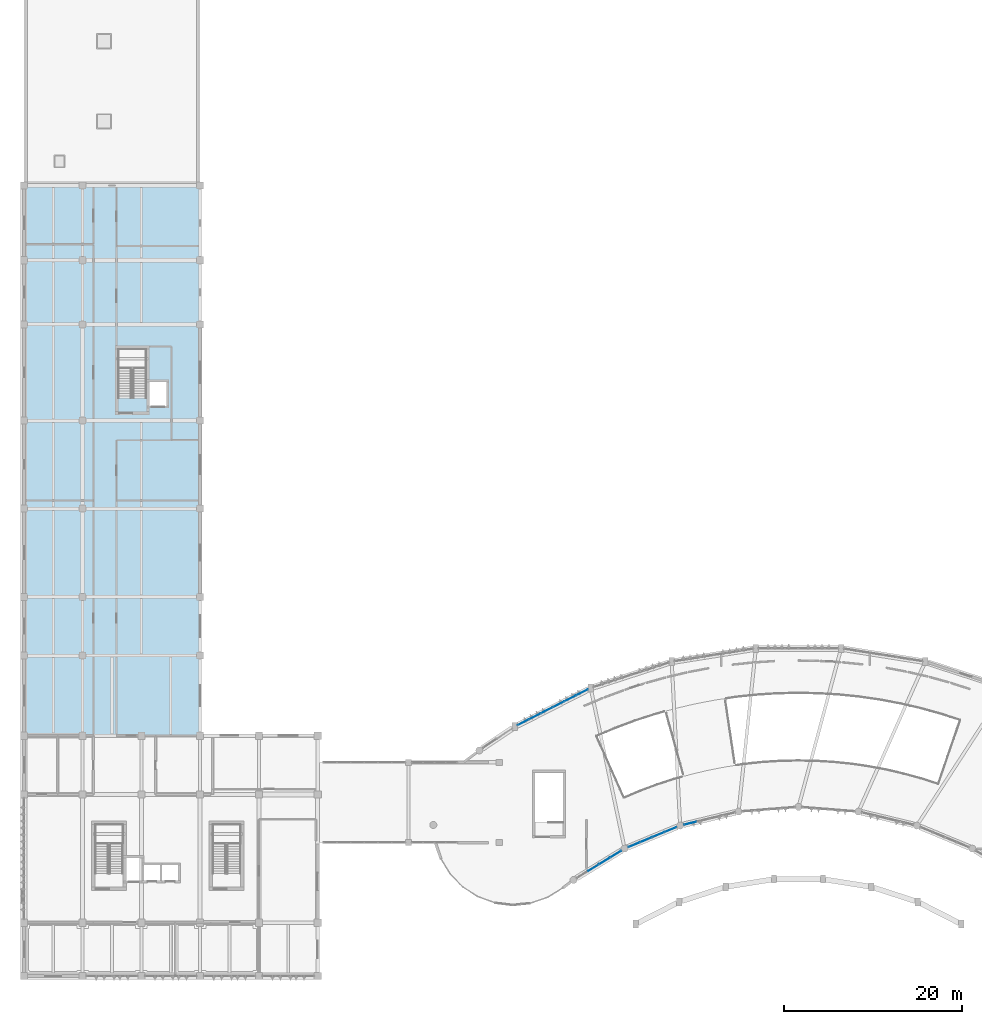
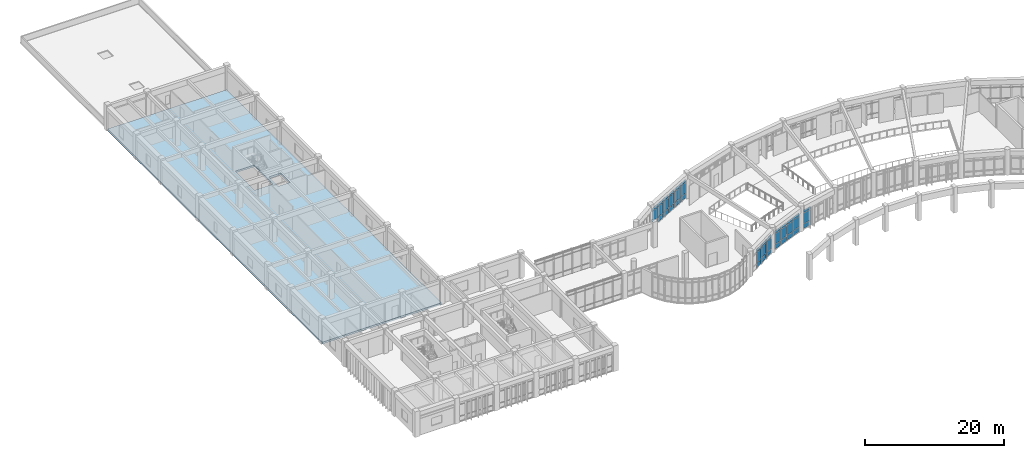
# One storey, part 34 of 54: 41 plates, 1 slab, 7 elements without a shape of their own.
"""IFC4 building model written with IfcOpenShell, lengths in metres."""

from ifc_helpers import new_model, si_unit, direction, frame, origin, origin_2d, place, context, subcontext, project, spatial, polyline, rectangle, outline, extrude, material, layer, layer_set, type_object, element, aggregate, save


model = new_model("IFC4")

# Units and contexts
model_context = context("Model", 3, precision=1e-05, world=origin(), true_north=direction((0.0, 1.0)))
body_context = subcontext(model_context, "Body", "Model", "MODEL_VIEW")
ifc_project = project(units=[si_unit("LENGTHUNIT", "METRE"), si_unit("AREAUNIT", "SQUARE_METRE"), si_unit("VOLUMEUNIT", "CUBIC_METRE"), si_unit("PLANEANGLEUNIT", "RADIAN"), si_unit("MASSUNIT", "GRAM", prefix="KILO")], contexts=[model_context])

# Site, building, storey
site_placement = place(None, origin())
site = spatial("IfcSite", under=ifc_project, at=site_placement, CompositionType="ELEMENT")
building_placement = place(site_placement, origin())
building = spatial("IfcBuilding", under=site, at=building_placement, Name="Miralva Faculty of Natural Sciences", CompositionType="ELEMENT")
storey_placement = place(building_placement, frame((0.0, 0.0, 19.5)))
storey = spatial("IfcBuildingStorey", under=building, at=storey_placement, Name="L04", CompositionType="ELEMENT", Elevation=19.5)

# Curtain wall, plates
ifc_material_1 = material(Name="Laminated solar-control glass", Category="glass")
ifc_layer_1 = layer(ifc_material_1, 0.179931640625, Name="CW-ARC-L03")
ifc_layer_set_1 = layer_set([ifc_layer_1], Name="Laminated solar-control glass")
curtain_wall_type = type_object("IfcCurtainWallType", Name="CW-ARC-L03", PredefinedType="USERDEFINED", material=ifc_layer_set_1)
curtain_wall_1_placement = place(storey_placement, origin())
curtain_wall_1 = element("IfcCurtainWall", 1, at=curtain_wall_1_placement, inside=storey, type_object=curtain_wall_type, Name="Curtain wall CW-03 L04-157", ObjectType="UNITISED CURTAIN WALL", PredefinedType="USERDEFINED")
ifc_layer_2 = layer(ifc_material_1, 0.028076171875, Name="PNL-P01")
ifc_layer_set_2 = layer_set([ifc_layer_2], Name="Laminated solar-control glass")
plate_type = type_object("IfcPlateType", Name="PNL-P01", PredefinedType="CURTAIN_PANEL", material=ifc_layer_set_2)
plate_1_placement = place(storey_placement, frame((66.95947265625, 15.15673828125, 0.06494140625), z_axis=(0.0, 0.0, 1.0), x_axis=(0.852640729642, 0.522497642249, 0.0)))
plate_1 = element("IfcPlate", 2, at=plate_1_placement, type_object=plate_type, Name="CW-03 panel 2.1", PredefinedType="CURTAIN_PANEL", context=body_context, shape_type="SweptSolid", body=[
    extrude(rectangle(XDim=1.376953125, YDim=0.028076171875, at=origin_2d()), origin(), (0.0, 0.0, 1.0), 0.802490234375),
])
plate_2_placement = place(storey_placement, frame((66.95947265625, 15.15673828125, 0.9326171875), z_axis=(0.0, 0.0, 1.0), x_axis=(0.852640729642, 0.522497642249, 0.0)))
plate_2 = element("IfcPlate", 3, at=plate_2_placement, type_object=plate_type, Name="CW-03 panel 2.2", PredefinedType="CURTAIN_PANEL", context=body_context, shape_type="SweptSolid", body=[
    extrude(rectangle(XDim=1.376953125, YDim=0.028076171875, at=origin_2d()), origin(), (0.0, 0.0, 1.0), 1.840087890625),
])
plate_3_placement = place(storey_placement, frame((66.95947265625, 15.15673828125, 2.837646484375), z_axis=(0.0, 0.0, 1.0), x_axis=(0.852640729642, 0.522497642249, 0.0)))
plate_3 = element("IfcPlate", 4, at=plate_3_placement, type_object=plate_type, Name="CW-03 panel 2.3", PredefinedType="CURTAIN_PANEL", context=body_context, shape_type="SweptSolid", body=[
    extrude(rectangle(XDim=1.376953125, YDim=0.028076171875, at=origin_2d()), origin(), (0.0, 0.0, 1.0), 0.50244140625),
])
aggregate(curtain_wall_1, [plate_1, plate_2, plate_3])

curtain_wall_2_placement = place(storey_placement, origin())
curtain_wall_2 = element("IfcCurtainWall", 5, at=curtain_wall_2_placement, inside=storey, type_object=curtain_wall_type, Name="Curtain wall CW-03 L04-158", ObjectType="UNITISED CURTAIN WALL", PredefinedType="USERDEFINED")
plate_4_placement = place(storey_placement, frame((68.240966796875, 15.942138671875, 0.06494140625), z_axis=(0.0, 0.0, 1.0), x_axis=(0.852655256018, 0.522473936561, 0.0)))
plate_4 = element("IfcPlate", 6, at=plate_4_placement, type_object=plate_type, Name="CW-03 panel 1.1", PredefinedType="CURTAIN_PANEL", context=body_context, shape_type="SweptSolid", body=[
    extrude(rectangle(XDim=1.37939453125, YDim=0.028076171875, at=origin_2d()), origin(), (0.0, 0.0, 1.0), 0.802490234375),
])
plate_5_placement = place(storey_placement, frame((68.240966796875, 15.942138671875, 0.9326171875), z_axis=(0.0, 0.0, 1.0), x_axis=(0.852655256018, 0.522473936561, 0.0)))
plate_5 = element("IfcPlate", 7, at=plate_5_placement, type_object=plate_type, Name="CW-03 panel 1.2", PredefinedType="CURTAIN_PANEL", context=body_context, shape_type="SweptSolid", body=[
    extrude(rectangle(XDim=1.37939453125, YDim=0.028076171875, at=origin_2d()), origin(), (0.0, 0.0, 1.0), 1.840087890625),
])
plate_6_placement = place(storey_placement, frame((68.240966796875, 15.942138671875, 2.837646484375), z_axis=(0.0, 0.0, 1.0), x_axis=(0.852655256018, 0.522473936561, 0.0)))
plate_6 = element("IfcPlate", 8, at=plate_6_placement, type_object=plate_type, Name="CW-03 panel 1.3", PredefinedType="CURTAIN_PANEL", context=body_context, shape_type="SweptSolid", body=[
    extrude(rectangle(XDim=1.37939453125, YDim=0.028076171875, at=origin_2d()), origin(), (0.0, 0.0, 1.0), 0.50244140625),
])
plate_7_placement = place(storey_placement, frame((69.47265625, 16.69677734375, 0.06494140625), z_axis=(0.0, 0.0, 1.0), x_axis=(0.852655256018, 0.522473936561, 0.0)))
plate_7 = element("IfcPlate", 9, at=plate_7_placement, type_object=plate_type, Name="CW-03 panel 2.1", PredefinedType="CURTAIN_PANEL", context=body_context, shape_type="SweptSolid", body=[
    extrude(rectangle(XDim=1.37939453125, YDim=0.028076171875, at=origin_2d()), origin(), (0.0, 0.0, 1.0), 0.802490234375),
])
plate_8_placement = place(storey_placement, frame((69.47265625, 16.69677734375, 0.9326171875), z_axis=(0.0, 0.0, 1.0), x_axis=(0.852655256018, 0.522473936561, 0.0)))
plate_8 = element("IfcPlate", 10, at=plate_8_placement, type_object=plate_type, Name="CW-03 panel 2.2", PredefinedType="CURTAIN_PANEL", context=body_context, shape_type="SweptSolid", body=[
    extrude(rectangle(XDim=1.37939453125, YDim=0.028076171875, at=origin_2d()), origin(), (0.0, 0.0, 1.0), 1.840087890625),
])
plate_9_placement = place(storey_placement, frame((69.47265625, 16.69677734375, 2.837646484375), z_axis=(0.0, 0.0, 1.0), x_axis=(0.852655256018, 0.522473936561, 0.0)))
plate_9 = element("IfcPlate", 11, at=plate_9_placement, type_object=plate_type, Name="CW-03 panel 2.3", PredefinedType="CURTAIN_PANEL", context=body_context, shape_type="SweptSolid", body=[
    extrude(rectangle(XDim=1.37939453125, YDim=0.028076171875, at=origin_2d()), origin(), (0.0, 0.0, 1.0), 0.50244140625),
])
aggregate(curtain_wall_2, [plate_4, plate_5, plate_6, plate_7, plate_8, plate_9])

curtain_wall_3_placement = place(storey_placement, origin())
curtain_wall_3 = element("IfcCurtainWall", 12, at=curtain_wall_3_placement, inside=storey, type_object=curtain_wall_type, Name="Curtain wall CW-03 L04-159", ObjectType="UNITISED CURTAIN WALL", PredefinedType="USERDEFINED")
plate_10_placement = place(storey_placement, frame((71.560302734375, 17.761474609375, 0.06494140625), z_axis=(0.0, 0.0, 1.0), x_axis=(0.923873889004, 0.382697056713, 0.0)))
plate_10 = element("IfcPlate", 13, at=plate_10_placement, type_object=plate_type, Name="CW-03 panel 1.1", PredefinedType="CURTAIN_PANEL", context=body_context, shape_type="SweptSolid", body=[
    extrude(rectangle(XDim=1.3818359375, YDim=0.028076171875, at=origin_2d()), origin(), (0.0, 0.0, 1.0), 0.802490234375),
])
plate_11_placement = place(storey_placement, frame((71.560302734375, 17.761474609375, 0.9326171875), z_axis=(0.0, 0.0, 1.0), x_axis=(0.923873889004, 0.382697056713, 0.0)))
plate_11 = element("IfcPlate", 14, at=plate_11_placement, type_object=plate_type, Name="CW-03 panel 1.2", PredefinedType="CURTAIN_PANEL", context=body_context, shape_type="SweptSolid", body=[
    extrude(rectangle(XDim=1.3818359375, YDim=0.028076171875, at=origin_2d()), origin(), (0.0, 0.0, 1.0), 1.840087890625),
])
plate_12_placement = place(storey_placement, frame((71.560302734375, 17.761474609375, 2.837646484375), z_axis=(0.0, 0.0, 1.0), x_axis=(0.923873889004, 0.382697056713, 0.0)))
plate_12 = element("IfcPlate", 15, at=plate_12_placement, type_object=plate_type, Name="CW-03 panel 1.3", PredefinedType="CURTAIN_PANEL", context=body_context, shape_type="SweptSolid", body=[
    extrude(rectangle(XDim=1.3818359375, YDim=0.028076171875, at=origin_2d()), origin(), (0.0, 0.0, 1.0), 0.50244140625),
])
plate_13_placement = place(storey_placement, frame((72.89697265625, 18.315185546875, 0.06494140625), z_axis=(0.0, 0.0, 1.0), x_axis=(0.923873889004, 0.382697056713, 0.0)))
plate_13 = element("IfcPlate", 16, at=plate_13_placement, type_object=plate_type, Name="CW-03 panel 2.1", PredefinedType="CURTAIN_PANEL", context=body_context, shape_type="SweptSolid", body=[
    extrude(rectangle(XDim=1.3818359375, YDim=0.028076171875, at=origin_2d()), origin(), (0.0, 0.0, 1.0), 0.802490234375),
])
plate_14_placement = place(storey_placement, frame((72.89697265625, 18.315185546875, 0.9326171875), z_axis=(0.0, 0.0, 1.0), x_axis=(0.923873889004, 0.382697056713, 0.0)))
plate_14 = element("IfcPlate", 17, at=plate_14_placement, type_object=plate_type, Name="CW-03 panel 2.2", PredefinedType="CURTAIN_PANEL", context=body_context, shape_type="SweptSolid", body=[
    extrude(rectangle(XDim=1.3818359375, YDim=0.028076171875, at=origin_2d()), origin(), (0.0, 0.0, 1.0), 1.840087890625),
])
plate_15_placement = place(storey_placement, frame((72.89697265625, 18.315185546875, 2.837646484375), z_axis=(0.0, 0.0, 1.0), x_axis=(0.923873889004, 0.382697056713, 0.0)))
plate_15 = element("IfcPlate", 18, at=plate_15_placement, type_object=plate_type, Name="CW-03 panel 2.3", PredefinedType="CURTAIN_PANEL", context=body_context, shape_type="SweptSolid", body=[
    extrude(rectangle(XDim=1.3818359375, YDim=0.028076171875, at=origin_2d()), origin(), (0.0, 0.0, 1.0), 0.50244140625),
])
aggregate(curtain_wall_3, [plate_10, plate_11, plate_12, plate_13, plate_14, plate_15])

curtain_wall_4_placement = place(storey_placement, origin())
curtain_wall_4 = element("IfcCurtainWall", 19, at=curtain_wall_4_placement, inside=storey, type_object=curtain_wall_type, Name="Curtain wall CW-03 L04-160", ObjectType="UNITISED CURTAIN WALL", PredefinedType="USERDEFINED")
plate_16_placement = place(storey_placement, frame((74.290283203125, 18.892333984375, 0.06494140625), z_axis=(0.0, 0.0, 1.0), x_axis=(0.923891410727, 0.382654754557, 0.0)))
plate_16 = element("IfcPlate", 20, at=plate_16_placement, type_object=plate_type, Name="CW-03 panel 1.1", PredefinedType="CURTAIN_PANEL", context=body_context, shape_type="SweptSolid", body=[
    extrude(rectangle(XDim=1.38427734375, YDim=0.028076171875, at=origin_2d()), origin(), (0.0, 0.0, 1.0), 0.802490234375),
])
plate_17_placement = place(storey_placement, frame((74.290283203125, 18.892333984375, 0.9326171875), z_axis=(0.0, 0.0, 1.0), x_axis=(0.923891410727, 0.382654754557, 0.0)))
plate_17 = element("IfcPlate", 21, at=plate_17_placement, type_object=plate_type, Name="CW-03 panel 1.2", PredefinedType="CURTAIN_PANEL", context=body_context, shape_type="SweptSolid", body=[
    extrude(rectangle(XDim=1.38427734375, YDim=0.028076171875, at=origin_2d()), origin(), (0.0, 0.0, 1.0), 1.840087890625),
])
plate_18_placement = place(storey_placement, frame((74.290283203125, 18.892333984375, 2.837646484375), z_axis=(0.0, 0.0, 1.0), x_axis=(0.923891410727, 0.382654754557, 0.0)))
plate_18 = element("IfcPlate", 22, at=plate_18_placement, type_object=plate_type, Name="CW-03 panel 1.3", PredefinedType="CURTAIN_PANEL", context=body_context, shape_type="SweptSolid", body=[
    extrude(rectangle(XDim=1.38427734375, YDim=0.028076171875, at=origin_2d()), origin(), (0.0, 0.0, 1.0), 0.50244140625),
])
plate_19_placement = place(storey_placement, frame((75.62939453125, 19.44677734375, 0.06494140625), z_axis=(0.0, 0.0, 1.0), x_axis=(0.923891410727, 0.382654754557, 0.0)))
plate_19 = element("IfcPlate", 23, at=plate_19_placement, type_object=plate_type, Name="CW-03 panel 2.1", PredefinedType="CURTAIN_PANEL", context=body_context, shape_type="SweptSolid", body=[
    extrude(rectangle(XDim=1.38427734375, YDim=0.028076171875, at=origin_2d()), origin(), (0.0, 0.0, 1.0), 0.802490234375),
])
plate_20_placement = place(storey_placement, frame((75.62939453125, 19.44677734375, 0.9326171875), z_axis=(0.0, 0.0, 1.0), x_axis=(0.923891410727, 0.382654754557, 0.0)))
plate_20 = element("IfcPlate", 24, at=plate_20_placement, type_object=plate_type, Name="CW-03 panel 2.2", PredefinedType="CURTAIN_PANEL", context=body_context, shape_type="SweptSolid", body=[
    extrude(rectangle(XDim=1.38427734375, YDim=0.028076171875, at=origin_2d()), origin(), (0.0, 0.0, 1.0), 1.840087890625),
])
plate_21_placement = place(storey_placement, frame((75.62939453125, 19.44677734375, 2.837646484375), z_axis=(0.0, 0.0, 1.0), x_axis=(0.923891410727, 0.382654754557, 0.0)))
plate_21 = element("IfcPlate", 25, at=plate_21_placement, type_object=plate_type, Name="CW-03 panel 2.3", PredefinedType="CURTAIN_PANEL", context=body_context, shape_type="SweptSolid", body=[
    extrude(rectangle(XDim=1.38427734375, YDim=0.028076171875, at=origin_2d()), origin(), (0.0, 0.0, 1.0), 0.50244140625),
])
aggregate(curtain_wall_4, [plate_16, plate_17, plate_18, plate_19, plate_20, plate_21])

curtain_wall_5_placement = place(storey_placement, origin())
curtain_wall_5 = element("IfcCurtainWall", 26, at=curtain_wall_5_placement, inside=storey, type_object=curtain_wall_type, Name="Curtain wall CW-03 L04-161", ObjectType="UNITISED CURTAIN WALL", PredefinedType="USERDEFINED")
plate_22_placement = place(storey_placement, frame((77.836181640625, 20.165283203125, 0.06494140625), z_axis=(0.0, 0.0, 1.0), x_axis=(0.972367185898, 0.233456753574, 0.0)))
plate_22 = element("IfcPlate", 27, at=plate_22_placement, type_object=plate_type, Name="CW-03 panel 1.1", PredefinedType="CURTAIN_PANEL", context=body_context, shape_type="SweptSolid", body=[
    extrude(rectangle(XDim=1.391845703125, YDim=0.028076171875, at=origin_2d()), origin(), (0.0, 0.0, 1.0), 0.802490234375),
])
plate_23_placement = place(storey_placement, frame((77.836181640625, 20.165283203125, 0.9326171875), z_axis=(0.0, 0.0, 1.0), x_axis=(0.972367185898, 0.233456753574, 0.0)))
plate_23 = element("IfcPlate", 28, at=plate_23_placement, type_object=plate_type, Name="CW-03 panel 1.2", PredefinedType="CURTAIN_PANEL", context=body_context, shape_type="SweptSolid", body=[
    extrude(rectangle(XDim=1.391845703125, YDim=0.028076171875, at=origin_2d()), origin(), (0.0, 0.0, 1.0), 1.840087890625),
])
plate_24_placement = place(storey_placement, frame((77.836181640625, 20.165283203125, 2.837646484375), z_axis=(0.0, 0.0, 1.0), x_axis=(0.972367185898, 0.233456753574, 0.0)))
plate_24 = element("IfcPlate", 29, at=plate_24_placement, type_object=plate_type, Name="CW-03 panel 1.3", PredefinedType="CURTAIN_PANEL", context=body_context, shape_type="SweptSolid", body=[
    extrude(rectangle(XDim=1.391845703125, YDim=0.028076171875, at=origin_2d()), origin(), (0.0, 0.0, 1.0), 0.50244140625),
])
aggregate(curtain_wall_5, [plate_22, plate_23, plate_24])

curtain_wall_6_placement = place(storey_placement, origin())
curtain_wall_6 = element("IfcCurtainWall", 30, at=curtain_wall_6_placement, inside=storey, type_object=curtain_wall_type, Name="Curtain wall CW-03 L04-175", ObjectType="UNITISED CURTAIN WALL", PredefinedType="USERDEFINED")
plate_25_placement = place(storey_placement, frame((59.086669921875, 31.499755859375, 0.93017578125), z_axis=(0.0, 0.0, 1.0), x_axis=(0.89100160052, 0.454000162854, 0.0)))
plate_25 = element("IfcPlate", 31, at=plate_25_placement, type_object=plate_type, Name="CW-03 panel 1.2", PredefinedType="CURTAIN_PANEL", context=body_context, shape_type="SweptSolid", body=[
    extrude(rectangle(XDim=1.392822265625, YDim=0.028076171875, at=origin_2d()), origin(), (0.0, 0.0, 1.0), 1.844970703125),
])
plate_26_placement = place(storey_placement, frame((59.086669921875, 31.499755859375, 2.8349609375), z_axis=(0.0, 0.0, 1.0), x_axis=(0.89100160052, 0.454000162854, 0.0)))
plate_26 = element("IfcPlate", 32, at=plate_26_placement, type_object=plate_type, Name="CW-03 panel 1.3", PredefinedType="CURTAIN_PANEL", context=body_context, shape_type="SweptSolid", body=[
    extrude(rectangle(XDim=1.392822265625, YDim=0.028076171875, at=origin_2d()), origin(), (0.0, 0.0, 1.0), 0.510009765625),
])
plate_27_placement = place(storey_placement, frame((60.400146484375, 32.1689453125, 0.06005859375), z_axis=(0.0, 0.0, 1.0), x_axis=(0.89100160052, 0.454000162854, 0.0)))
plate_27 = element("IfcPlate", 33, at=plate_27_placement, type_object=plate_type, Name="CW-03 panel 2.1", PredefinedType="CURTAIN_PANEL", context=body_context, shape_type="SweptSolid", body=[
    extrude(rectangle(XDim=1.42529296875, YDim=0.028076171875, at=origin_2d()), origin(), (0.0, 0.0, 1.0), 0.81005859375),
])
plate_28_placement = place(storey_placement, frame((60.400146484375, 32.1689453125, 0.93017578125), z_axis=(0.0, 0.0, 1.0), x_axis=(0.89100160052, 0.454000162854, 0.0)))
plate_28 = element("IfcPlate", 34, at=plate_28_placement, type_object=plate_type, Name="CW-03 panel 2.2", PredefinedType="CURTAIN_PANEL", context=body_context, shape_type="SweptSolid", body=[
    extrude(rectangle(XDim=1.42529296875, YDim=0.028076171875, at=origin_2d()), origin(), (0.0, 0.0, 1.0), 1.844970703125),
])
plate_29_placement = place(storey_placement, frame((60.400146484375, 32.1689453125, 2.8349609375), z_axis=(0.0, 0.0, 1.0), x_axis=(0.89100160052, 0.454000162854, 0.0)))
plate_29 = element("IfcPlate", 35, at=plate_29_placement, type_object=plate_type, Name="CW-03 panel 2.3", PredefinedType="CURTAIN_PANEL", context=body_context, shape_type="SweptSolid", body=[
    extrude(rectangle(XDim=1.42529296875, YDim=0.028076171875, at=origin_2d()), origin(), (0.0, 0.0, 1.0), 0.510009765625),
])
plate_30_placement = place(storey_placement, frame((61.71337890625, 32.838134765625, 0.06005859375), z_axis=(0.0, 0.0, 1.0), x_axis=(0.89100160052, 0.454000162854, 0.0)))
plate_30 = element("IfcPlate", 36, at=plate_30_placement, type_object=plate_type, Name="CW-03 panel 3.1", PredefinedType="CURTAIN_PANEL", context=body_context, shape_type="SweptSolid", body=[
    extrude(rectangle(XDim=1.392822265625, YDim=0.028076171875, at=origin_2d()), origin(), (0.0, 0.0, 1.0), 0.81005859375),
])
plate_31_placement = place(storey_placement, frame((61.71337890625, 32.838134765625, 0.93017578125), z_axis=(0.0, 0.0, 1.0), x_axis=(0.89100160052, 0.454000162854, 0.0)))
plate_31 = element("IfcPlate", 37, at=plate_31_placement, type_object=plate_type, Name="CW-03 panel 3.2", PredefinedType="CURTAIN_PANEL", context=body_context, shape_type="SweptSolid", body=[
    extrude(rectangle(XDim=1.392822265625, YDim=0.028076171875, at=origin_2d()), origin(), (0.0, 0.0, 1.0), 1.844970703125),
])
plate_32_placement = place(storey_placement, frame((61.71337890625, 32.838134765625, 2.8349609375), z_axis=(0.0, 0.0, 1.0), x_axis=(0.89100160052, 0.454000162854, 0.0)))
plate_32 = element("IfcPlate", 38, at=plate_32_placement, type_object=plate_type, Name="CW-03 panel 3.3", PredefinedType="CURTAIN_PANEL", context=body_context, shape_type="SweptSolid", body=[
    extrude(rectangle(XDim=1.392822265625, YDim=0.028076171875, at=origin_2d()), origin(), (0.0, 0.0, 1.0), 0.510009765625),
])
aggregate(curtain_wall_6, [plate_25, plate_26, plate_27, plate_28, plate_29, plate_30, plate_31, plate_32])

curtain_wall_7_placement = place(storey_placement, origin())
curtain_wall_7 = element("IfcCurtainWall", 39, at=curtain_wall_7_placement, inside=storey, type_object=curtain_wall_type, Name="Curtain wall CW-03 L04-176", ObjectType="UNITISED CURTAIN WALL", PredefinedType="USERDEFINED")
plate_33_placement = place(storey_placement, frame((63.066650390625, 33.527587890625, 0.06005859375), z_axis=(0.0, 0.0, 1.0), x_axis=(0.891014603122, 0.453974643591, 0.0)))
plate_33 = element("IfcPlate", 40, at=plate_33_placement, type_object=plate_type, Name="CW-03 panel 1.1", PredefinedType="CURTAIN_PANEL", context=body_context, shape_type="SweptSolid", body=[
    extrude(rectangle(XDim=1.39453125, YDim=0.028076171875, at=origin_2d()), origin(), (0.0, 0.0, 1.0), 0.81005859375),
])
plate_34_placement = place(storey_placement, frame((63.066650390625, 33.527587890625, 0.93017578125), z_axis=(0.0, 0.0, 1.0), x_axis=(0.891014603122, 0.453974643591, 0.0)))
plate_34 = element("IfcPlate", 41, at=plate_34_placement, type_object=plate_type, Name="CW-03 panel 1.2", PredefinedType="CURTAIN_PANEL", context=body_context, shape_type="SweptSolid", body=[
    extrude(rectangle(XDim=1.39453125, YDim=0.028076171875, at=origin_2d()), origin(), (0.0, 0.0, 1.0), 1.844970703125),
])
plate_35_placement = place(storey_placement, frame((63.066650390625, 33.527587890625, 2.8349609375), z_axis=(0.0, 0.0, 1.0), x_axis=(0.891014603122, 0.453974643591, 0.0)))
plate_35 = element("IfcPlate", 42, at=plate_35_placement, type_object=plate_type, Name="CW-03 panel 1.3", PredefinedType="CURTAIN_PANEL", context=body_context, shape_type="SweptSolid", body=[
    extrude(rectangle(XDim=1.39453125, YDim=0.028076171875, at=origin_2d()), origin(), (0.0, 0.0, 1.0), 0.510009765625),
])
plate_36_placement = place(storey_placement, frame((64.381591796875, 34.197509765625, 0.06005859375), z_axis=(0.0, 0.0, 1.0), x_axis=(0.891014603122, 0.453974643591, 0.0)))
plate_36 = element("IfcPlate", 43, at=plate_36_placement, type_object=plate_type, Name="CW-03 panel 2.1", PredefinedType="CURTAIN_PANEL", context=body_context, shape_type="SweptSolid", body=[
    extrude(rectangle(XDim=1.427001953125, YDim=0.028076171875, at=origin_2d()), origin(), (0.0, 0.0, 1.0), 0.81005859375),
])
plate_37_placement = place(storey_placement, frame((64.381591796875, 34.197509765625, 0.93017578125), z_axis=(0.0, 0.0, 1.0), x_axis=(0.891014603122, 0.453974643591, 0.0)))
plate_37 = element("IfcPlate", 44, at=plate_37_placement, type_object=plate_type, Name="CW-03 panel 2.2", PredefinedType="CURTAIN_PANEL", context=body_context, shape_type="SweptSolid", body=[
    extrude(rectangle(XDim=1.427001953125, YDim=0.028076171875, at=origin_2d()), origin(), (0.0, 0.0, 1.0), 1.844970703125),
])
plate_38_placement = place(storey_placement, frame((64.381591796875, 34.197509765625, 2.8349609375), z_axis=(0.0, 0.0, 1.0), x_axis=(0.891014603122, 0.453974643591, 0.0)))
plate_38 = element("IfcPlate", 45, at=plate_38_placement, type_object=plate_type, Name="CW-03 panel 2.3", PredefinedType="CURTAIN_PANEL", context=body_context, shape_type="SweptSolid", body=[
    extrude(rectangle(XDim=1.427001953125, YDim=0.028076171875, at=origin_2d()), origin(), (0.0, 0.0, 1.0), 0.510009765625),
])
plate_39_placement = place(storey_placement, frame((65.696533203125, 34.86767578125, 0.06005859375), z_axis=(0.0, 0.0, 1.0), x_axis=(0.891014603122, 0.453974643591, 0.0)))
plate_39 = element("IfcPlate", 46, at=plate_39_placement, type_object=plate_type, Name="CW-03 panel 3.1", PredefinedType="CURTAIN_PANEL", context=body_context, shape_type="SweptSolid", body=[
    extrude(rectangle(XDim=1.39453125, YDim=0.028076171875, at=origin_2d()), origin(), (0.0, 0.0, 1.0), 0.81005859375),
])
plate_40_placement = place(storey_placement, frame((65.696533203125, 34.86767578125, 0.93017578125), z_axis=(0.0, 0.0, 1.0), x_axis=(0.891014603122, 0.453974643591, 0.0)))
plate_40 = element("IfcPlate", 47, at=plate_40_placement, type_object=plate_type, Name="CW-03 panel 3.2", PredefinedType="CURTAIN_PANEL", context=body_context, shape_type="SweptSolid", body=[
    extrude(rectangle(XDim=1.39453125, YDim=0.028076171875, at=origin_2d()), origin(), (0.0, 0.0, 1.0), 1.844970703125),
])
plate_41_placement = place(storey_placement, frame((65.696533203125, 34.86767578125, 2.8349609375), z_axis=(0.0, 0.0, 1.0), x_axis=(0.891014603122, 0.453974643591, 0.0)))
plate_41 = element("IfcPlate", 48, at=plate_41_placement, type_object=plate_type, Name="CW-03 panel 3.3", PredefinedType="CURTAIN_PANEL", context=body_context, shape_type="SweptSolid", body=[
    extrude(rectangle(XDim=1.39453125, YDim=0.028076171875, at=origin_2d()), origin(), (0.0, 0.0, 1.0), 0.510009765625),
])
aggregate(curtain_wall_7, [plate_33, plate_34, plate_35, plate_36, plate_37, plate_38, plate_39, plate_40, plate_41])

# Slab
ifc_material_2 = material(Name="Concrete C40/50", Category="concrete")
ifc_layer_3 = layer(ifc_material_2, 0.320068359375, Name="SL-FL01")
ifc_layer_set_3 = layer_set([ifc_layer_3], Name="Concrete C40/50")
slab_type = type_object("IfcSlabType", Name="SL-FL01", PredefinedType="FLOOR", material=ifc_layer_set_3)
slab_placement = place(storey_placement, frame((0.0, 0.0, -0.320068359375)))
element("IfcSlab", 49, at=slab_placement, inside=storey, type_object=slab_type, Name="V4 L04 floor slab", PredefinedType="FLOOR", context=body_context, shape_type="SweptSolid", body=[
    extrude(outline(polyline([(22.800048828125, 30.0), (3.0, 30.0), (3.0, 91.800048828125), (22.800048828125, 91.800048828125), (22.800048828125, 30.0)]), holes=[polyline([(16.72509765625, 67.925048828125), (13.625, 67.925048828125), (13.625, 73.425048828125), (16.72509765625, 73.425048828125), (16.72509765625, 67.925048828125)]), polyline([(19.050048828125, 67.050048828125), (17.050048828125, 67.050048828125), (17.050048828125, 69.75), (19.050048828125, 69.75), (19.050048828125, 67.050048828125)])]), origin(), (0.0, 0.0, 1.0), 0.320068359375),
])

save(model, "model.ifc")
